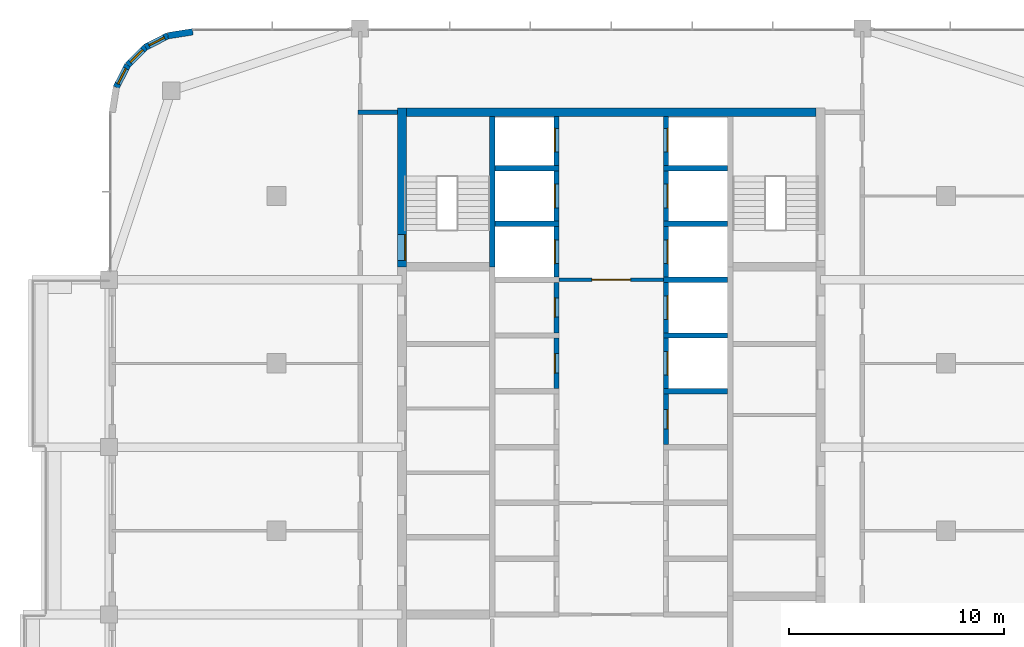
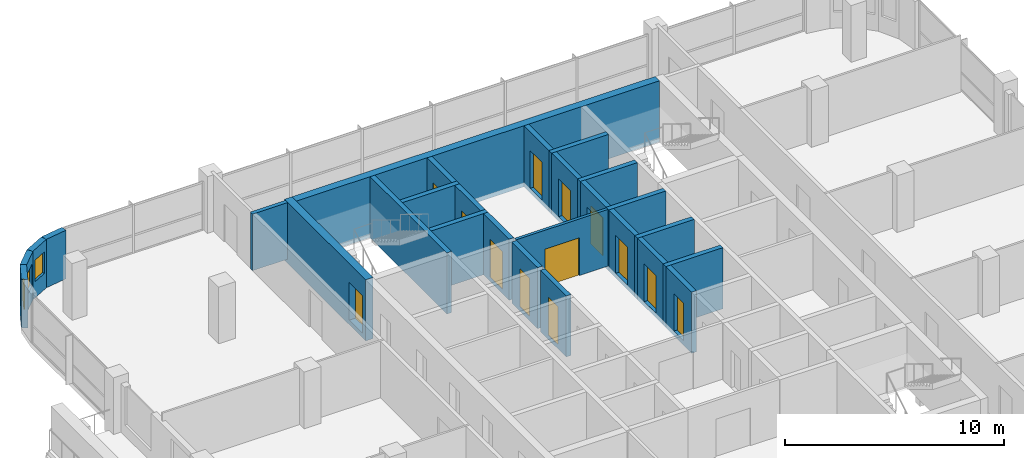
# One storey, part 15 of 22: 27 walls, 13 doors, 3 windows, 16 openings.
"""IFC4 building model written with IfcOpenShell, lengths in metres."""

from ifc_helpers import new_model, si_unit, direction, frame, frame_2d, origin, place, context, subcontext, project, spatial, rectangle, extrude, material, layer, layer_set, type_object, element, fill, save


model = new_model("IFC4")

# Units and contexts
model_context = context("Model", 3, precision=1e-05, world=origin(), true_north=direction((0.0, 1.0)))
body_context = subcontext(model_context, "Body", "Model", "MODEL_VIEW")
ifc_project = project(units=[si_unit("LENGTHUNIT", "METRE"), si_unit("AREAUNIT", "SQUARE_METRE"), si_unit("VOLUMEUNIT", "CUBIC_METRE"), si_unit("PLANEANGLEUNIT", "RADIAN"), si_unit("MASSUNIT", "GRAM", prefix="KILO")], contexts=[model_context])

# Site, building, storey
site_placement = place(None, origin())
site = spatial("IfcSite", under=ifc_project, at=site_placement, CompositionType="ELEMENT")
building_placement = place(site_placement, origin())
building = spatial("IfcBuilding", under=site, at=building_placement, Name="Ludao Terraces", CompositionType="ELEMENT")
storey_placement = place(building_placement, frame((0.0, 0.0, 200.699951171875)))
storey = spatial("IfcBuildingStorey", under=building, at=storey_placement, Name="L54", CompositionType="ELEMENT", Elevation=200.699951171875)

# Wall, opening, door
ifc_material_1 = material(Name="Concrete C50", Category="concrete")
ifc_layer_1 = layer(ifc_material_1, 0.39990234375)
ifc_layer_set_1 = layer_set([ifc_layer_1], Name="Core wall 400 C50")
wall_type_1 = type_object("IfcWallType", Name="Core wall 400 C50", PredefinedType="SOLIDWALL", material=ifc_layer_set_1)
wall_1_placement = place(storey_placement, frame((75.25, 77.300048828125, -0.25), z_axis=(0.0, 0.0, 1.0), x_axis=(0.0, 1.0, 0.0)))
wall_1 = element("IfcWall", 1, at=wall_1_placement, inside=storey, type_object=wall_type_1, Name="Core wall L54 outer-W-S1", PredefinedType="SOLIDWALL", context=body_context, shape_type="SweptSolid", body=[
    extrude(rectangle(XDim=7.39990234375, YDim=0.39990234375, at=frame_2d((3.699951171875, 0.0))), origin(), (0.0, 0.0, 1.0), 3.400146484375),
])
opening_1_placement = place(wall_1_placement, frame((0.300048828125, 0.0, 0.25)))
opening_1 = element("IfcOpeningElement", 2, at=opening_1_placement, cuts=wall_1, Name="Opening C3-041", PredefinedType="OPENING", context=body_context, shape_type="SweptSolid", body=[
    extrude(rectangle(XDim=1.199951171875, YDim=2.10009765625, at=frame_2d((0.60009765625, 1.050048828125))), frame((0.0, 0.2099609375, 0.0), z_axis=(0.0, -1.0, 0.0), x_axis=(1.0, 0.0, 0.0)), (0.0, 0.0, 1.0), 0.419921875),
])
ifc_material_2 = material(Name="Steel Q235", Category="steel")
door_type_1 = type_object("IfcDoorType", Name="INT Stair door 1200", OperationType="DOUBLE_DOOR_SINGLE_SWING", PredefinedType="DOOR", material=ifc_material_2)
door_1_placement = place(opening_1_placement, origin())
door_1 = element("IfcDoor", 3, at=door_1_placement, inside=storey, type_object=door_type_1, Name="DOOR 041", OperationType="DOUBLE_DOOR_SINGLE_SWING", OverallHeight=2.10009765625, OverallWidth=1.199951171875, PredefinedType="DOOR", context=body_context, shape_type="SweptSolid", body=[
    extrude(rectangle(XDim=1.199951171875, YDim=2.10009765625, at=frame_2d((0.60009765625, 1.050048828125))), frame((0.0, -0.134765625, 0.0), z_axis=(0.0, -1.0, 0.0), x_axis=(1.0, 0.0, 0.0)), (0.0, 0.0, 1.0), 0.050048828125),
])
fill(opening_1, door_1)

# Walls
wall_2_placement = place(storey_placement, frame((75.449951171875, 84.5, -0.25), z_axis=(0.0, 0.0, 1.0), x_axis=(1.0, 0.0, 0.0)))
element("IfcWall", 4, at=wall_2_placement, inside=storey, type_object=wall_type_1, Name="Core wall L54 outer-N", PredefinedType="SOLIDWALL", context=body_context, shape_type="SweptSolid", body=[
    extrude(rectangle(XDim=19.10009765625, YDim=0.39990234375, at=frame_2d((9.550048828125, 0.0))), origin(), (0.0, 0.0, 1.0), 3.400146484375),
])
ifc_material_3 = material(Name="Granite cladding", Category="masonry")
ifc_layer_2 = layer(ifc_material_3, 0.0400390625, Category="stone")
ifc_material_4 = material(Name="Mineral wool")
ifc_layer_3 = layer(ifc_material_4, 0.06005859375)
ifc_material_5 = material(Name="Concrete C40", Category="concrete")
ifc_layer_4 = layer(ifc_material_5, 0.199951171875, Category="concrete")
ifc_layer_set_2 = layer_set([ifc_layer_2, ifc_layer_3, ifc_layer_4], Name="ENV Stone-clad wall 300")
wall_type_2 = type_object("IfcWallType", Name="ENV Stone-clad wall 300", PredefinedType="SOLIDWALL", material=ifc_layer_set_2)
wall_3_placement = place(storey_placement, frame((65.5, 88.25, 0.0), z_axis=(0.0, 0.0, 1.0), x_axis=(-0.987678452879, -0.156496880861, 0.0)))
element("IfcWall", 5, at=wall_3_placement, inside=storey, type_object=wall_type_2, Name="EW-L54-NW1", PredefinedType="SOLIDWALL", context=body_context, shape_type="SweptSolid", body=[
    extrude(rectangle(XDim=1.173095703125, YDim=0.300048828125, at=frame_2d((0.58642578125, 0.0))), origin(), (0.0, 0.0, 1.0), 2.699951171875),
])

# Wall, opening, window
wall_4_placement = place(storey_placement, frame((64.34130859375, 88.06640625, 0.0), z_axis=(0.0, 0.0, 1.0), x_axis=(-0.890988677504, -0.454025524128, 0.0)))
wall_4 = element("IfcWall", 6, at=wall_4_placement, inside=storey, type_object=wall_type_2, Name="EW-L54-NW2", PredefinedType="SOLIDWALL", context=body_context, shape_type="SweptSolid", body=[
    extrude(rectangle(XDim=1.17333984375, YDim=0.300048828125, at=frame_2d((0.586669921875, 0.0))), origin(), (0.0, 0.0, 1.0), 2.699951171875),
])
opening_2_placement = place(wall_4_placement, frame((0.1865234375, 0.0, 0.89990234375)))
opening_2 = element("IfcOpeningElement", 7, at=opening_2_placement, cuts=wall_4, Name="Opening W3", PredefinedType="OPENING", context=body_context, shape_type="SweptSolid", body=[
    extrude(rectangle(XDim=0.800048828125, YDim=1.199951171875, at=frame_2d((0.39990234375, 0.60009765625))), frame((0.0, 0.16015625, 0.0), z_axis=(0.0, -1.0, 0.0), x_axis=(1.0, 0.0, 0.0)), (0.0, 0.0, 1.0), 0.320068359375),
])
ifc_material_6 = material(Name="Clear glass in aluminium frame", Category="aluminium")
ifc_layer_5 = layer(ifc_material_6, 0.06005859375)
ifc_layer_set_3 = layer_set([ifc_layer_5], Name="ENV Window W3 800x1200")
window_type = type_object("IfcWindowType", Name="ENV Window W3 800x1200", PartitioningType="SINGLE_PANEL", PredefinedType="WINDOW", material=ifc_layer_set_3)
window_1_placement = place(opening_2_placement, origin())
window_1 = element("IfcWindow", 8, at=window_1_placement, inside=storey, type_object=window_type, Name="W-L54-NW2", OverallHeight=1.199951171875, OverallWidth=0.800048828125, PartitioningType="SINGLE_PANEL", PredefinedType="WINDOW", context=body_context, shape_type="SweptSolid", body=[
    extrude(rectangle(XDim=0.800048828125, YDim=1.199951171875, at=frame_2d((0.39990234375, 0.60009765625))), frame((0.0, 0.030029296875, 0.0), z_axis=(0.0, -1.0, 0.0), x_axis=(1.0, 0.0, 0.0)), (0.0, 0.0, 1.0), 0.06005859375),
])
fill(opening_2, window_1)

wall_5_placement = place(storey_placement, frame((63.2958984375, 87.53369140625, 0.0), z_axis=(0.0, 0.0, 1.0), x_axis=(-0.707106781187, -0.707106781187, 0.0)))
wall_5 = element("IfcWall", 9, at=wall_5_placement, inside=storey, type_object=wall_type_2, Name="EW-L54-NW3", PredefinedType="SOLIDWALL", context=body_context, shape_type="SweptSolid", body=[
    extrude(rectangle(XDim=1.173095703125, YDim=0.300048828125, at=frame_2d((0.58642578125, 0.0))), origin(), (0.0, 0.0, 1.0), 2.699951171875),
])
opening_3_placement = place(wall_5_placement, frame((0.1865234375, 0.0, 0.89990234375)))
opening_3 = element("IfcOpeningElement", 10, at=opening_3_placement, cuts=wall_5, Name="Opening W3", PredefinedType="OPENING", context=body_context, shape_type="SweptSolid", body=[
    extrude(rectangle(XDim=0.800048828125, YDim=1.199951171875, at=frame_2d((0.39990234375, 0.60009765625))), frame((0.0, 0.16015625, 0.0), z_axis=(0.0, -1.0, 0.0), x_axis=(1.0, 0.0, 0.0)), (0.0, 0.0, 1.0), 0.320068359375),
])
window_2_placement = place(opening_3_placement, origin())
window_2 = element("IfcWindow", 11, at=window_2_placement, inside=storey, type_object=window_type, Name="W-L54-NW3", OverallHeight=1.199951171875, OverallWidth=0.800048828125, PartitioningType="SINGLE_PANEL", PredefinedType="WINDOW", context=body_context, shape_type="SweptSolid", body=[
    extrude(rectangle(XDim=0.800048828125, YDim=1.199951171875, at=frame_2d((0.39990234375, 0.60009765625))), frame((0.0, 0.030029296875, 0.0), z_axis=(0.0, -1.0, 0.0), x_axis=(1.0, 0.0, 0.0)), (0.0, 0.0, 1.0), 0.06005859375),
])
fill(opening_3, window_2)

wall_6_placement = place(storey_placement, frame((62.46630859375, 86.7041015625, 0.0), z_axis=(0.0, 0.0, 1.0), x_axis=(-0.454025524128, -0.890988677504, 0.0)))
wall_6 = element("IfcWall", 12, at=wall_6_placement, inside=storey, type_object=wall_type_2, Name="EW-L54-NW4", PredefinedType="SOLIDWALL", context=body_context, shape_type="SweptSolid", body=[
    extrude(rectangle(XDim=1.17333984375, YDim=0.300048828125, at=frame_2d((0.586669921875, 0.0))), origin(), (0.0, 0.0, 1.0), 2.699951171875),
])
opening_4_placement = place(wall_6_placement, frame((0.1865234375, 0.0, 0.89990234375)))
opening_4 = element("IfcOpeningElement", 13, at=opening_4_placement, cuts=wall_6, Name="Opening W3", PredefinedType="OPENING", context=body_context, shape_type="SweptSolid", body=[
    extrude(rectangle(XDim=0.800048828125, YDim=1.199951171875, at=frame_2d((0.39990234375, 0.60009765625))), frame((0.0, 0.16015625, 0.0), z_axis=(0.0, -1.0, 0.0), x_axis=(1.0, 0.0, 0.0)), (0.0, 0.0, 1.0), 0.320068359375),
])
window_3_placement = place(opening_4_placement, origin())
window_3 = element("IfcWindow", 14, at=window_3_placement, inside=storey, type_object=window_type, Name="W-L54-NW4", OverallHeight=1.199951171875, OverallWidth=0.800048828125, PartitioningType="SINGLE_PANEL", PredefinedType="WINDOW", context=body_context, shape_type="SweptSolid", body=[
    extrude(rectangle(XDim=0.800048828125, YDim=1.199951171875, at=frame_2d((0.39990234375, 0.60009765625))), frame((0.0, 0.030029296875, 0.0), z_axis=(0.0, -1.0, 0.0), x_axis=(1.0, 0.0, 0.0)), (0.0, 0.0, 1.0), 0.06005859375),
])
fill(opening_4, window_3)

# Wall, opening, door
ifc_material_7 = material(Name="Fire-rated gypsum plasterboard", Category="gypsum")
ifc_layer_6 = layer(ifc_material_7, 0.012451171875, Category="gypsum")
ifc_layer_7 = layer(ifc_material_4, 0.10009765625, Name="insulation")
ifc_layer_8 = layer(ifc_material_2, 0.02490234375, Name="stud")
ifc_layer_9 = layer(ifc_material_7, 0.012451171875, Category="gypsum")
ifc_layer_set_4 = layer_set([ifc_layer_6, ifc_layer_7, ifc_layer_8, ifc_layer_9], Name="INT Core partition 150")
wall_type_3 = type_object("IfcWallType", Name="INT Core partition 150", PredefinedType="PARTITIONING", material=ifc_layer_set_4)
wall_7_placement = place(storey_placement, frame((82.5751953125, 76.699951171875, 0.0), z_axis=(0.0, 0.0, 1.0), x_axis=(1.0, 0.0, 0.0)))
wall_7 = element("IfcWall", 15, at=wall_7_placement, inside=storey, type_object=wall_type_3, Name="PW-L54-PW012", PredefinedType="PARTITIONING", context=body_context, shape_type="SweptSolid", body=[
    extrude(rectangle(XDim=4.849853515625, YDim=0.14990234375, at=frame_2d((2.4248046875, 0.0))), origin(), (0.0, 0.0, 1.0), 3.150146484375),
])
opening_5_placement = place(wall_7_placement, frame((1.52490234375, 0.0, 0.0)))
opening_5 = element("IfcOpeningElement", 16, at=opening_5_placement, cuts=wall_7, Name="Opening C3-038", PredefinedType="OPENING", context=body_context, shape_type="SweptSolid", body=[
    extrude(rectangle(XDim=1.800048828125, YDim=2.10009765625, at=frame_2d((0.89990234375, 1.050048828125))), frame((0.0, 0.0849609375, 0.0), z_axis=(0.0, -1.0, 0.0), x_axis=(1.0, 0.0, 0.0)), (0.0, 0.0, 1.0), 0.169921875),
])
door_type_2 = type_object("IfcDoorType", Name="INT Fire lobby door 1800", OperationType="DOUBLE_DOOR_SINGLE_SWING", PredefinedType="DOOR", material=ifc_material_2)
door_2_placement = place(opening_5_placement, origin())
door_2 = element("IfcDoor", 17, at=door_2_placement, inside=storey, type_object=door_type_2, Name="DOOR 038", OperationType="DOUBLE_DOOR_SINGLE_SWING", OverallHeight=2.10009765625, OverallWidth=1.800048828125, PredefinedType="DOOR", context=body_context, shape_type="SweptSolid", body=[
    extrude(rectangle(XDim=1.800048828125, YDim=2.10009765625, at=frame_2d((0.89990234375, 1.050048828125))), frame((0.0, 0.02490234375, 0.0), z_axis=(0.0, -1.0, 0.0), x_axis=(1.0, 0.0, 0.0)), (0.0, 0.0, 1.0), 0.050048828125),
])
fill(opening_5, door_2)

# Walls
ifc_material_8 = material(Name="Autoclaved aerated concrete block B06 A3.5", Category="concrete")
ifc_layer_10 = layer(ifc_material_8, 0.199951171875)
ifc_layer_set_5 = layer_set([ifc_layer_10], Name="INT Entrance wall 200")
wall_type_4 = type_object("IfcWallType", Name="INT Entrance wall 200", PredefinedType="PARTITIONING", material=ifc_layer_set_5)
wall_8_placement = place(storey_placement, frame((73.2001953125, 84.5, 0.0), z_axis=(0.0, 0.0, 1.0), x_axis=(1.0, 0.0, 0.0)))
element("IfcWall", 18, at=wall_8_placement, inside=storey, type_object=wall_type_4, Name="PW-L54-PW014", PredefinedType="PARTITIONING", context=body_context, shape_type="SweptSolid", body=[
    extrude(rectangle(XDim=1.849853515625, YDim=0.199951171875, at=frame_2d((0.9248046875, 0.0))), origin(), (0.0, 0.0, 1.0), 3.150146484375),
])
ifc_layer_11 = layer(ifc_material_1, 0.25)
ifc_layer_set_6 = layer_set([ifc_layer_11], Name="Shaft wall 250 C50")
wall_type_5 = type_object("IfcWallType", Name="Shaft wall 250 C50", PredefinedType="SOLIDWALL", material=ifc_layer_set_6)
wall_9_placement = place(storey_placement, frame((79.449951171875, 77.300048828125, -0.25), z_axis=(0.0, 0.0, 1.0), x_axis=(0.0, 1.0, 0.0)))
element("IfcWall", 19, at=wall_9_placement, inside=storey, type_object=wall_type_5, Name="Core wall L54 back-W-S1", PredefinedType="SOLIDWALL", context=body_context, shape_type="SweptSolid", body=[
    extrude(rectangle(XDim=7.0, YDim=0.25, at=frame_2d((3.5, 0.0))), origin(), (0.0, 0.0, 1.0), 3.400146484375),
])

# Wall, opening, door
wall_10_placement = place(storey_placement, frame((82.449951171875, 71.625, -0.25), z_axis=(0.0, 0.0, 1.0), x_axis=(0.0, 1.0, 0.0)))
wall_10 = element("IfcWall", 20, at=wall_10_placement, inside=storey, type_object=wall_type_5, Name="Core wall L54 front-W5", PredefinedType="SOLIDWALL", context=body_context, shape_type="SweptSolid", body=[
    extrude(rectangle(XDim=2.35009765625, YDim=0.25, at=frame_2d((1.175048828125, 0.0))), origin(), (0.0, 0.0, 1.0), 3.400146484375),
])
opening_6_placement = place(wall_10_placement, frame((0.72509765625, 0.0, 0.25)))
opening_6 = element("IfcOpeningElement", 21, at=opening_6_placement, cuts=wall_10, Name="Opening C3-031", PredefinedType="OPENING", context=body_context, shape_type="SweptSolid", body=[
    extrude(rectangle(XDim=0.89990234375, YDim=2.10009765625, at=frame_2d((0.449951171875, 1.050048828125))), frame((0.0, 0.135009765625, 0.0), z_axis=(0.0, -1.0, 0.0), x_axis=(1.0, 0.0, 0.0)), (0.0, 0.0, 1.0), 0.27001953125),
])
ifc_material_9 = material(Name="Timber door leaf", Category="wood")
door_type_3 = type_object("IfcDoorType", Name="INT Room door 900", OperationType="SINGLE_SWING_LEFT", PredefinedType="DOOR", material=ifc_material_9)
door_3_placement = place(opening_6_placement, origin())
door_3 = element("IfcDoor", 22, at=door_3_placement, inside=storey, type_object=door_type_3, Name="DOOR 031", OperationType="SINGLE_SWING_LEFT", OverallHeight=2.10009765625, OverallWidth=0.89990234375, PredefinedType="DOOR", context=body_context, shape_type="SweptSolid", body=[
    extrude(rectangle(XDim=0.89990234375, YDim=2.10009765625, at=frame_2d((0.449951171875, 1.050048828125))), frame((0.0, 0.10986328125, 0.0), z_axis=(0.0, -1.0, 0.0), x_axis=(1.0, 0.0, 0.0)), (0.0, 0.0, 1.0), 0.050048828125),
])
fill(opening_6, door_3)

wall_11_placement = place(storey_placement, frame((82.449951171875, 74.22509765625, -0.25), z_axis=(0.0, 0.0, 1.0), x_axis=(0.0, 1.0, 0.0)))
wall_11 = element("IfcWall", 23, at=wall_11_placement, inside=storey, type_object=wall_type_5, Name="Core wall L54 front-W6", PredefinedType="SOLIDWALL", context=body_context, shape_type="SweptSolid", body=[
    extrude(rectangle(XDim=2.349853515625, YDim=0.25, at=frame_2d((1.1748046875, 0.0))), origin(), (0.0, 0.0, 1.0), 3.400146484375),
])
opening_7_placement = place(wall_11_placement, frame((0.72509765625, 0.0, 0.25)))
opening_7 = element("IfcOpeningElement", 24, at=opening_7_placement, cuts=wall_11, Name="Opening C3-034", PredefinedType="OPENING", context=body_context, shape_type="SweptSolid", body=[
    extrude(rectangle(XDim=0.89990234375, YDim=2.10009765625, at=frame_2d((0.449951171875, 1.050048828125))), frame((0.0, 0.135009765625, 0.0), z_axis=(0.0, -1.0, 0.0), x_axis=(1.0, 0.0, 0.0)), (0.0, 0.0, 1.0), 0.27001953125),
])
door_4_placement = place(opening_7_placement, origin())
door_4 = element("IfcDoor", 25, at=door_4_placement, inside=storey, type_object=door_type_3, Name="DOOR 034", OperationType="SINGLE_SWING_LEFT", OverallHeight=2.10009765625, OverallWidth=0.89990234375, PredefinedType="DOOR", context=body_context, shape_type="SweptSolid", body=[
    extrude(rectangle(XDim=0.89990234375, YDim=2.10009765625, at=frame_2d((0.449951171875, 1.050048828125))), frame((0.0, 0.10986328125, 0.0), z_axis=(0.0, -1.0, 0.0), x_axis=(1.0, 0.0, 0.0)), (0.0, 0.0, 1.0), 0.050048828125),
])
fill(opening_7, door_4)

wall_12_placement = place(storey_placement, frame((82.449951171875, 76.824951171875, -0.25), z_axis=(0.0, 0.0, 1.0), x_axis=(0.0, 1.0, 0.0)))
wall_12 = element("IfcWall", 26, at=wall_12_placement, inside=storey, type_object=wall_type_5, Name="Core wall L54 front-W7", PredefinedType="SOLIDWALL", context=body_context, shape_type="SweptSolid", body=[
    extrude(rectangle(XDim=2.35009765625, YDim=0.25, at=frame_2d((1.175048828125, 0.0))), origin(), (0.0, 0.0, 1.0), 3.400146484375),
])
opening_8_placement = place(wall_12_placement, frame((0.625, 0.0, 0.25)))
opening_8 = element("IfcOpeningElement", 27, at=opening_8_placement, cuts=wall_12, Name="Opening LD-FF1", PredefinedType="OPENING", context=body_context, shape_type="SweptSolid", body=[
    extrude(rectangle(XDim=1.10009765625, YDim=2.10009765625, at=frame_2d((0.550048828125, 1.050048828125))), frame((0.0, 0.135009765625, 0.0), z_axis=(0.0, -1.0, 0.0), x_axis=(1.0, 0.0, 0.0)), (0.0, 0.0, 1.0), 0.27001953125),
])
ifc_material_10 = material(Name="Stainless steel 304", Category="steel")
door_type_4 = type_object("IfcDoorType", Name="INT Lift landing door 1100", OperationType="SLIDING_TO_LEFT", PredefinedType="DOOR", material=ifc_material_10)
door_5_placement = place(opening_8_placement, origin())
door_5 = element("IfcDoor", 28, at=door_5_placement, inside=storey, type_object=door_type_4, Name="LANDING DOOR FF1 L54", OperationType="SLIDING_TO_LEFT", OverallHeight=2.10009765625, OverallWidth=1.10009765625, PredefinedType="DOOR", context=body_context, shape_type="SweptSolid", body=[
    extrude(rectangle(XDim=1.10009765625, YDim=2.10009765625, at=frame_2d((0.550048828125, 1.050048828125))), frame((0.0, 0.10986328125, 0.0), z_axis=(0.0, -1.0, 0.0), x_axis=(1.0, 0.0, 0.0)), (0.0, 0.0, 1.0), 0.050048828125),
])
fill(opening_8, door_5)

# Wall
wall_13_placement = place(storey_placement, frame((79.574951171875, 79.300048828125, -0.25), z_axis=(0.0, 0.0, 1.0), x_axis=(1.0, 0.0, 0.0)))
element("IfcWall", 29, at=wall_13_placement, inside=storey, type_object=wall_type_5, Name="Core wall L54 div-W8", PredefinedType="SOLIDWALL", context=body_context, shape_type="SweptSolid", body=[
    extrude(rectangle(XDim=3.0, YDim=0.25, at=frame_2d((1.5, 0.0))), origin(), (0.0, 0.0, 1.0), 3.400146484375),
])

# Wall, opening, door
wall_14_placement = place(storey_placement, frame((82.449951171875, 79.425048828125, -0.25), z_axis=(0.0, 0.0, 1.0), x_axis=(0.0, 1.0, 0.0)))
wall_14 = element("IfcWall", 30, at=wall_14_placement, inside=storey, type_object=wall_type_5, Name="Core wall L54 front-W8", PredefinedType="SOLIDWALL", context=body_context, shape_type="SweptSolid", body=[
    extrude(rectangle(XDim=2.349853515625, YDim=0.25, at=frame_2d((1.1748046875, 0.0))), origin(), (0.0, 0.0, 1.0), 3.400146484375),
])
opening_9_placement = place(wall_14_placement, frame((0.625, 0.0, 0.25)))
opening_9 = element("IfcOpeningElement", 31, at=opening_9_placement, cuts=wall_14, Name="Opening LD-FF2", PredefinedType="OPENING", context=body_context, shape_type="SweptSolid", body=[
    extrude(rectangle(XDim=1.10009765625, YDim=2.10009765625, at=frame_2d((0.550048828125, 1.050048828125))), frame((0.0, 0.135009765625, 0.0), z_axis=(0.0, -1.0, 0.0), x_axis=(1.0, 0.0, 0.0)), (0.0, 0.0, 1.0), 0.27001953125),
])
door_6_placement = place(opening_9_placement, origin())
door_6 = element("IfcDoor", 32, at=door_6_placement, inside=storey, type_object=door_type_4, Name="LANDING DOOR FF2 L54", OperationType="SLIDING_TO_LEFT", OverallHeight=2.10009765625, OverallWidth=1.10009765625, PredefinedType="DOOR", context=body_context, shape_type="SweptSolid", body=[
    extrude(rectangle(XDim=1.10009765625, YDim=2.10009765625, at=frame_2d((0.550048828125, 1.050048828125))), frame((0.0, 0.10986328125, 0.0), z_axis=(0.0, -1.0, 0.0), x_axis=(1.0, 0.0, 0.0)), (0.0, 0.0, 1.0), 0.050048828125),
])
fill(opening_9, door_6)

# Wall
wall_15_placement = place(storey_placement, frame((79.574951171875, 81.89990234375, -0.25), z_axis=(0.0, 0.0, 1.0), x_axis=(1.0, 0.0, 0.0)))
element("IfcWall", 33, at=wall_15_placement, inside=storey, type_object=wall_type_5, Name="Core wall L54 div-W9", PredefinedType="SOLIDWALL", context=body_context, shape_type="SweptSolid", body=[
    extrude(rectangle(XDim=3.0, YDim=0.25, at=frame_2d((1.5, 0.0))), origin(), (0.0, 0.0, 1.0), 3.400146484375),
])

# Wall, opening, door
wall_16_placement = place(storey_placement, frame((82.449951171875, 82.02490234375, -0.25), z_axis=(0.0, 0.0, 1.0), x_axis=(0.0, 1.0, 0.0)))
wall_16 = element("IfcWall", 34, at=wall_16_placement, inside=storey, type_object=wall_type_5, Name="Core wall L54 front-W9", PredefinedType="SOLIDWALL", context=body_context, shape_type="SweptSolid", body=[
    extrude(rectangle(XDim=2.275146484375, YDim=0.25, at=frame_2d((1.1376953125, 0.0))), origin(), (0.0, 0.0, 1.0), 3.400146484375),
])
opening_10_placement = place(wall_16_placement, frame((0.625, 0.0, 0.25)))
opening_10 = element("IfcOpeningElement", 35, at=opening_10_placement, cuts=wall_16, Name="Opening LD-LB6", PredefinedType="OPENING", context=body_context, shape_type="SweptSolid", body=[
    extrude(rectangle(XDim=1.10009765625, YDim=2.10009765625, at=frame_2d((0.550048828125, 1.050048828125))), frame((0.0, 0.135009765625, 0.0), z_axis=(0.0, -1.0, 0.0), x_axis=(1.0, 0.0, 0.0)), (0.0, 0.0, 1.0), 0.27001953125),
])
door_7_placement = place(opening_10_placement, origin())
door_7 = element("IfcDoor", 36, at=door_7_placement, inside=storey, type_object=door_type_4, Name="LANDING DOOR LB6 L54", OperationType="SLIDING_TO_RIGHT", OverallHeight=2.10009765625, OverallWidth=1.10009765625, PredefinedType="DOOR", context=body_context, shape_type="SweptSolid", body=[
    extrude(rectangle(XDim=1.10009765625, YDim=2.10009765625, at=frame_2d((0.550048828125, 1.050048828125))), frame((0.0, 0.10986328125, 0.0), z_axis=(0.0, -1.0, 0.0), x_axis=(1.0, 0.0, 0.0)), (0.0, 0.0, 1.0), 0.050048828125),
])
fill(opening_10, door_7)

wall_17_placement = place(storey_placement, frame((87.550048828125, 69.02490234375, -0.25), z_axis=(0.0, 0.0, 1.0), x_axis=(0.0, 1.0, 0.0)))
wall_17 = element("IfcWall", 37, at=wall_17_placement, inside=storey, type_object=wall_type_5, Name="Core wall L54 front-E4", PredefinedType="SOLIDWALL", context=body_context, shape_type="SweptSolid", body=[
    extrude(rectangle(XDim=2.35009765625, YDim=0.25, at=frame_2d((1.175048828125, 0.0))), origin(), (0.0, 0.0, 1.0), 3.400146484375),
])
opening_11_placement = place(wall_17_placement, frame((0.72509765625, 0.0, 0.25)))
opening_11 = element("IfcOpeningElement", 38, at=opening_11_placement, cuts=wall_17, Name="Opening C3-028", PredefinedType="OPENING", context=body_context, shape_type="SweptSolid", body=[
    extrude(rectangle(XDim=0.89990234375, YDim=2.10009765625, at=frame_2d((0.449951171875, 1.050048828125))), frame((0.0, 0.135009765625, 0.0), z_axis=(0.0, -1.0, 0.0), x_axis=(1.0, 0.0, 0.0)), (0.0, 0.0, 1.0), 0.27001953125),
])
door_8_placement = place(opening_11_placement, origin())
door_8 = element("IfcDoor", 39, at=door_8_placement, inside=storey, type_object=door_type_3, Name="DOOR 028", OperationType="SINGLE_SWING_LEFT", OverallHeight=2.10009765625, OverallWidth=0.89990234375, PredefinedType="DOOR", context=body_context, shape_type="SweptSolid", body=[
    extrude(rectangle(XDim=0.89990234375, YDim=2.10009765625, at=frame_2d((0.449951171875, 1.050048828125))), frame((0.0, -0.06005859375, 0.0), z_axis=(0.0, -1.0, 0.0), x_axis=(1.0, 0.0, 0.0)), (0.0, 0.0, 1.0), 0.050048828125),
])
fill(opening_11, door_8)

# Wall
wall_18_placement = place(storey_placement, frame((87.425048828125, 71.5, -0.25), z_axis=(0.0, 0.0, 1.0), x_axis=(1.0, 0.0, 0.0)))
element("IfcWall", 40, at=wall_18_placement, inside=storey, type_object=wall_type_5, Name="Core wall L54 div-E5", PredefinedType="SOLIDWALL", context=body_context, shape_type="SweptSolid", body=[
    extrude(rectangle(XDim=3.0, YDim=0.25, at=frame_2d((1.5, 0.0))), origin(), (0.0, 0.0, 1.0), 3.400146484375),
])

# Wall, opening, door
wall_19_placement = place(storey_placement, frame((87.550048828125, 71.625, -0.25), z_axis=(0.0, 0.0, 1.0), x_axis=(0.0, 1.0, 0.0)))
wall_19 = element("IfcWall", 41, at=wall_19_placement, inside=storey, type_object=wall_type_5, Name="Core wall L54 front-E5", PredefinedType="SOLIDWALL", context=body_context, shape_type="SweptSolid", body=[
    extrude(rectangle(XDim=2.35009765625, YDim=0.25, at=frame_2d((1.175048828125, 0.0))), origin(), (0.0, 0.0, 1.0), 3.400146484375),
])
opening_12_placement = place(wall_19_placement, frame((0.625, 0.0, 0.25)))
opening_12 = element("IfcOpeningElement", 42, at=opening_12_placement, cuts=wall_19, Name="Opening LD-LB1", PredefinedType="OPENING", context=body_context, shape_type="SweptSolid", body=[
    extrude(rectangle(XDim=1.10009765625, YDim=2.10009765625, at=frame_2d((0.550048828125, 1.050048828125))), frame((0.0, 0.135009765625, 0.0), z_axis=(0.0, -1.0, 0.0), x_axis=(1.0, 0.0, 0.0)), (0.0, 0.0, 1.0), 0.27001953125),
])
door_9_placement = place(opening_12_placement, origin())
door_9 = element("IfcDoor", 43, at=door_9_placement, inside=storey, type_object=door_type_4, Name="LANDING DOOR LB1 L54", OperationType="SLIDING_TO_LEFT", OverallHeight=2.10009765625, OverallWidth=1.10009765625, PredefinedType="DOOR", context=body_context, shape_type="SweptSolid", body=[
    extrude(rectangle(XDim=1.10009765625, YDim=2.10009765625, at=frame_2d((0.550048828125, 1.050048828125))), frame((0.0, -0.06005859375, 0.0), z_axis=(0.0, -1.0, 0.0), x_axis=(1.0, 0.0, 0.0)), (0.0, 0.0, 1.0), 0.050048828125),
])
fill(opening_12, door_9)

# Wall
wall_20_placement = place(storey_placement, frame((87.425048828125, 74.10009765625, -0.25), z_axis=(0.0, 0.0, 1.0), x_axis=(1.0, 0.0, 0.0)))
element("IfcWall", 44, at=wall_20_placement, inside=storey, type_object=wall_type_5, Name="Core wall L54 div-E6", PredefinedType="SOLIDWALL", context=body_context, shape_type="SweptSolid", body=[
    extrude(rectangle(XDim=3.0, YDim=0.25, at=frame_2d((1.5, 0.0))), origin(), (0.0, 0.0, 1.0), 3.400146484375),
])

# Wall, opening, door
wall_21_placement = place(storey_placement, frame((87.550048828125, 74.22509765625, -0.25), z_axis=(0.0, 0.0, 1.0), x_axis=(0.0, 1.0, 0.0)))
wall_21 = element("IfcWall", 45, at=wall_21_placement, inside=storey, type_object=wall_type_5, Name="Core wall L54 front-E6", PredefinedType="SOLIDWALL", context=body_context, shape_type="SweptSolid", body=[
    extrude(rectangle(XDim=2.349853515625, YDim=0.25, at=frame_2d((1.1748046875, 0.0))), origin(), (0.0, 0.0, 1.0), 3.400146484375),
])
opening_13_placement = place(wall_21_placement, frame((0.625, 0.0, 0.25)))
opening_13 = element("IfcOpeningElement", 46, at=opening_13_placement, cuts=wall_21, Name="Opening LD-LB2", PredefinedType="OPENING", context=body_context, shape_type="SweptSolid", body=[
    extrude(rectangle(XDim=1.10009765625, YDim=2.10009765625, at=frame_2d((0.550048828125, 1.050048828125))), frame((0.0, 0.135009765625, 0.0), z_axis=(0.0, -1.0, 0.0), x_axis=(1.0, 0.0, 0.0)), (0.0, 0.0, 1.0), 0.27001953125),
])
door_10_placement = place(opening_13_placement, origin())
door_10 = element("IfcDoor", 47, at=door_10_placement, inside=storey, type_object=door_type_4, Name="LANDING DOOR LB2 L54", OperationType="SLIDING_TO_LEFT", OverallHeight=2.10009765625, OverallWidth=1.10009765625, PredefinedType="DOOR", context=body_context, shape_type="SweptSolid", body=[
    extrude(rectangle(XDim=1.10009765625, YDim=2.10009765625, at=frame_2d((0.550048828125, 1.050048828125))), frame((0.0, -0.06005859375, 0.0), z_axis=(0.0, -1.0, 0.0), x_axis=(1.0, 0.0, 0.0)), (0.0, 0.0, 1.0), 0.050048828125),
])
fill(opening_13, door_10)

# Wall
wall_22_placement = place(storey_placement, frame((87.425048828125, 76.699951171875, -0.25), z_axis=(0.0, 0.0, 1.0), x_axis=(1.0, 0.0, 0.0)))
element("IfcWall", 48, at=wall_22_placement, inside=storey, type_object=wall_type_5, Name="Core wall L54 div-E7", PredefinedType="SOLIDWALL", context=body_context, shape_type="SweptSolid", body=[
    extrude(rectangle(XDim=3.0, YDim=0.25, at=frame_2d((1.5, 0.0))), origin(), (0.0, 0.0, 1.0), 3.400146484375),
])

# Wall, opening, door
wall_23_placement = place(storey_placement, frame((87.550048828125, 76.824951171875, -0.25), z_axis=(0.0, 0.0, 1.0), x_axis=(0.0, 1.0, 0.0)))
wall_23 = element("IfcWall", 49, at=wall_23_placement, inside=storey, type_object=wall_type_5, Name="Core wall L54 front-E7", PredefinedType="SOLIDWALL", context=body_context, shape_type="SweptSolid", body=[
    extrude(rectangle(XDim=2.35009765625, YDim=0.25, at=frame_2d((1.175048828125, 0.0))), origin(), (0.0, 0.0, 1.0), 3.400146484375),
])
opening_14_placement = place(wall_23_placement, frame((0.625, 0.0, 0.25)))
opening_14 = element("IfcOpeningElement", 50, at=opening_14_placement, cuts=wall_23, Name="Opening LD-LB3", PredefinedType="OPENING", context=body_context, shape_type="SweptSolid", body=[
    extrude(rectangle(XDim=1.10009765625, YDim=2.10009765625, at=frame_2d((0.550048828125, 1.050048828125))), frame((0.0, 0.135009765625, 0.0), z_axis=(0.0, -1.0, 0.0), x_axis=(1.0, 0.0, 0.0)), (0.0, 0.0, 1.0), 0.27001953125),
])
door_11_placement = place(opening_14_placement, origin())
door_11 = element("IfcDoor", 51, at=door_11_placement, inside=storey, type_object=door_type_4, Name="LANDING DOOR LB3 L54", OperationType="SLIDING_TO_LEFT", OverallHeight=2.10009765625, OverallWidth=1.10009765625, PredefinedType="DOOR", context=body_context, shape_type="SweptSolid", body=[
    extrude(rectangle(XDim=1.10009765625, YDim=2.10009765625, at=frame_2d((0.550048828125, 1.050048828125))), frame((0.0, -0.06005859375, 0.0), z_axis=(0.0, -1.0, 0.0), x_axis=(1.0, 0.0, 0.0)), (0.0, 0.0, 1.0), 0.050048828125),
])
fill(opening_14, door_11)

# Wall
wall_24_placement = place(storey_placement, frame((87.425048828125, 79.300048828125, -0.25), z_axis=(0.0, 0.0, 1.0), x_axis=(1.0, 0.0, 0.0)))
element("IfcWall", 52, at=wall_24_placement, inside=storey, type_object=wall_type_5, Name="Core wall L54 div-E8", PredefinedType="SOLIDWALL", context=body_context, shape_type="SweptSolid", body=[
    extrude(rectangle(XDim=3.0, YDim=0.25, at=frame_2d((1.5, 0.0))), origin(), (0.0, 0.0, 1.0), 3.400146484375),
])

# Wall, opening, door
wall_25_placement = place(storey_placement, frame((87.550048828125, 79.425048828125, -0.25), z_axis=(0.0, 0.0, 1.0), x_axis=(0.0, 1.0, 0.0)))
wall_25 = element("IfcWall", 53, at=wall_25_placement, inside=storey, type_object=wall_type_5, Name="Core wall L54 front-E8", PredefinedType="SOLIDWALL", context=body_context, shape_type="SweptSolid", body=[
    extrude(rectangle(XDim=2.349853515625, YDim=0.25, at=frame_2d((1.1748046875, 0.0))), origin(), (0.0, 0.0, 1.0), 3.400146484375),
])
opening_15_placement = place(wall_25_placement, frame((0.625, 0.0, 0.25)))
opening_15 = element("IfcOpeningElement", 54, at=opening_15_placement, cuts=wall_25, Name="Opening LD-LB4", PredefinedType="OPENING", context=body_context, shape_type="SweptSolid", body=[
    extrude(rectangle(XDim=1.10009765625, YDim=2.10009765625, at=frame_2d((0.550048828125, 1.050048828125))), frame((0.0, 0.135009765625, 0.0), z_axis=(0.0, -1.0, 0.0), x_axis=(1.0, 0.0, 0.0)), (0.0, 0.0, 1.0), 0.27001953125),
])
door_12_placement = place(opening_15_placement, origin())
door_12 = element("IfcDoor", 55, at=door_12_placement, inside=storey, type_object=door_type_4, Name="LANDING DOOR LB4 L54", OperationType="SLIDING_TO_RIGHT", OverallHeight=2.10009765625, OverallWidth=1.10009765625, PredefinedType="DOOR", context=body_context, shape_type="SweptSolid", body=[
    extrude(rectangle(XDim=1.10009765625, YDim=2.10009765625, at=frame_2d((0.550048828125, 1.050048828125))), frame((0.0, -0.06005859375, 0.0), z_axis=(0.0, -1.0, 0.0), x_axis=(1.0, 0.0, 0.0)), (0.0, 0.0, 1.0), 0.050048828125),
])
fill(opening_15, door_12)

# Wall
wall_26_placement = place(storey_placement, frame((87.425048828125, 81.89990234375, -0.25), z_axis=(0.0, 0.0, 1.0), x_axis=(1.0, 0.0, 0.0)))
element("IfcWall", 56, at=wall_26_placement, inside=storey, type_object=wall_type_5, Name="Core wall L54 div-E9", PredefinedType="SOLIDWALL", context=body_context, shape_type="SweptSolid", body=[
    extrude(rectangle(XDim=3.0, YDim=0.25, at=frame_2d((1.5, 0.0))), origin(), (0.0, 0.0, 1.0), 3.400146484375),
])

# Wall, opening, door
wall_27_placement = place(storey_placement, frame((87.550048828125, 82.02490234375, -0.25), z_axis=(0.0, 0.0, 1.0), x_axis=(0.0, 1.0, 0.0)))
wall_27 = element("IfcWall", 57, at=wall_27_placement, inside=storey, type_object=wall_type_5, Name="Core wall L54 front-E9", PredefinedType="SOLIDWALL", context=body_context, shape_type="SweptSolid", body=[
    extrude(rectangle(XDim=2.275146484375, YDim=0.25, at=frame_2d((1.1376953125, 0.0))), origin(), (0.0, 0.0, 1.0), 3.400146484375),
])
opening_16_placement = place(wall_27_placement, frame((0.625, 0.0, 0.25)))
opening_16 = element("IfcOpeningElement", 58, at=opening_16_placement, cuts=wall_27, Name="Opening LD-LB5", PredefinedType="OPENING", context=body_context, shape_type="SweptSolid", body=[
    extrude(rectangle(XDim=1.10009765625, YDim=2.10009765625, at=frame_2d((0.550048828125, 1.050048828125))), frame((0.0, 0.135009765625, 0.0), z_axis=(0.0, -1.0, 0.0), x_axis=(1.0, 0.0, 0.0)), (0.0, 0.0, 1.0), 0.27001953125),
])
door_13_placement = place(opening_16_placement, origin())
door_13 = element("IfcDoor", 59, at=door_13_placement, inside=storey, type_object=door_type_4, Name="LANDING DOOR LB5 L54", OperationType="SLIDING_TO_RIGHT", OverallHeight=2.10009765625, OverallWidth=1.10009765625, PredefinedType="DOOR", context=body_context, shape_type="SweptSolid", body=[
    extrude(rectangle(XDim=1.10009765625, YDim=2.10009765625, at=frame_2d((0.550048828125, 1.050048828125))), frame((0.0, -0.06005859375, 0.0), z_axis=(0.0, -1.0, 0.0), x_axis=(1.0, 0.0, 0.0)), (0.0, 0.0, 1.0), 0.050048828125),
])
fill(opening_16, door_13)

save(model, "model.ifc")
